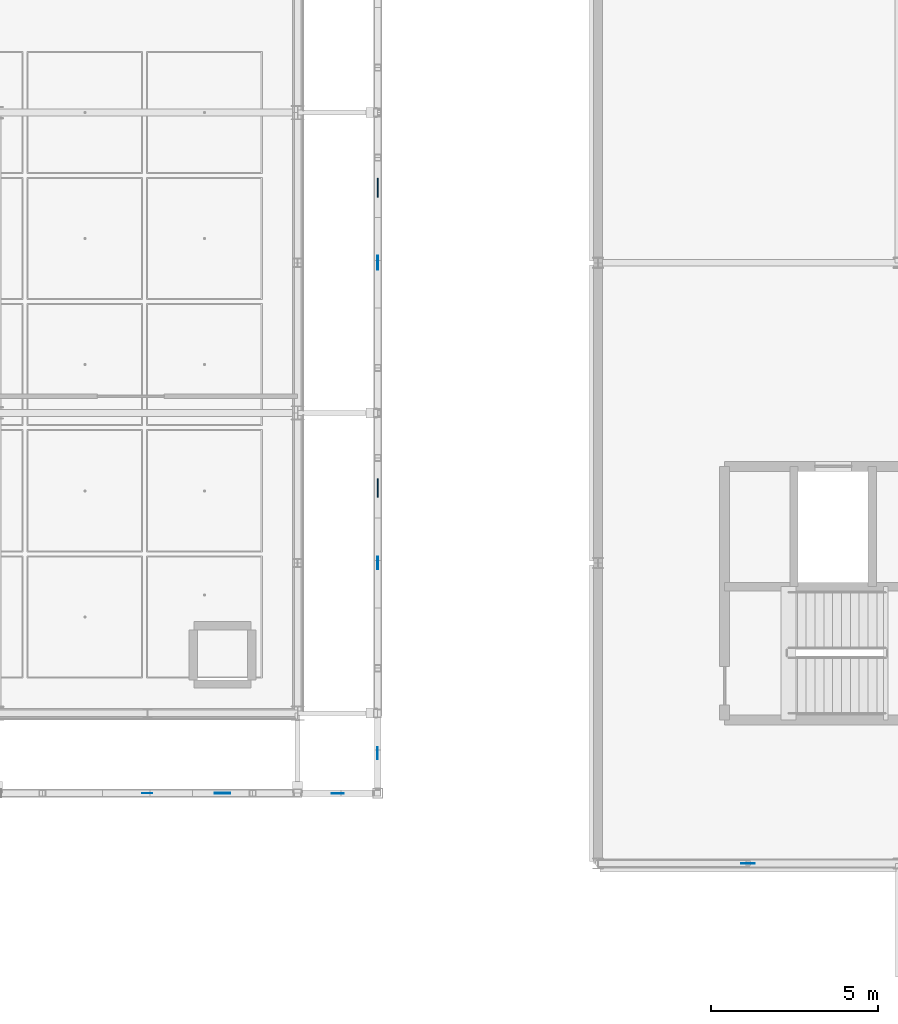
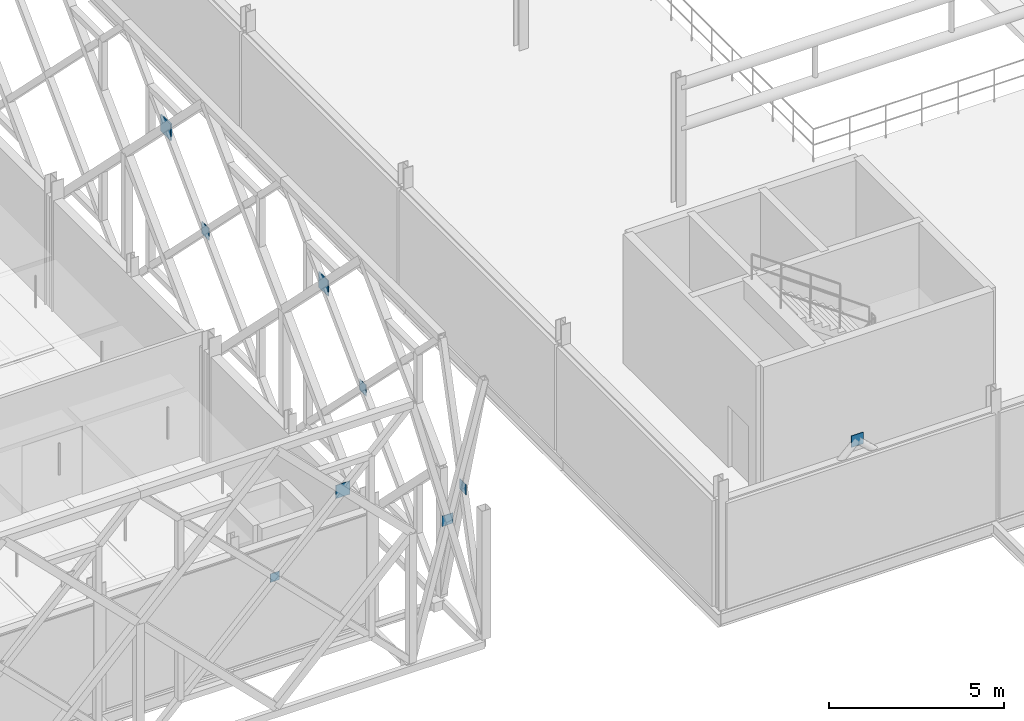
# One storey, part 82 of 140: 9 plates.
"""IFC4 building model written with IfcOpenShell, lengths in metres."""

from ifc_helpers import new_model, si_unit, direction, frame, origin, origin_2d, place, context, subcontext, project, spatial, rectangle, extrude, material, layer, layer_set, type_object, element, save


model = new_model("IFC4")

# Units and contexts
model_context = context("Model", 3, precision=1e-05, world=origin(), true_north=direction((0.0, 1.0)))
body_context = subcontext(model_context, "Body", "Model", "MODEL_VIEW")
ifc_project = project(units=[si_unit("LENGTHUNIT", "METRE"), si_unit("AREAUNIT", "SQUARE_METRE"), si_unit("VOLUMEUNIT", "CUBIC_METRE"), si_unit("PLANEANGLEUNIT", "RADIAN"), si_unit("MASSUNIT", "GRAM", prefix="KILO"), si_unit("THERMODYNAMICTEMPERATUREUNIT", "KELVIN"), si_unit("POWERUNIT", "WATT")], contexts=[model_context])

# Site, building, storey
site_placement = place(None, origin())
site = spatial("IfcSite", under=ifc_project, at=site_placement, CompositionType="ELEMENT")
building_placement = place(site_placement, origin())
building = spatial("IfcBuilding", under=site, at=building_placement, Name="Tallowbark Science Centre", CompositionType="ELEMENT")
storey_placement = place(building_placement, frame((0.0, 0.0, 9.89990234375)))
storey = spatial("IfcBuildingStorey", under=building, at=storey_placement, Name="L02", CompositionType="ELEMENT", Elevation=9.89990234375)

# Plates
ifc_material = material(Name="Structural Steel Grade 300PLUS (300 MPa)", Category="steel")
ifc_layer_1 = layer(ifc_material, 0.010009765625)
ifc_layer_set_1 = layer_set([ifc_layer_1], Name="Structural Steel Grade 300PLUS (300 MPa)")
plate_type_1 = type_object("IfcPlateType", Name="PLT-GUS-10", PredefinedType="SHEET", material=ifc_layer_set_1)
plate_1_placement = place(storey_placement, frame((99.0, 2.10009765625, 4.35009765625), z_axis=(0.0, 0.0, 1.0), x_axis=(1.0, 0.0, 0.0)))
element("IfcPlate", 1, at=plate_1_placement, inside=storey, type_object=plate_type_1, Name="Star X-Brace Crossing Gusset Plate S-25", PredefinedType="SHEET", context=body_context, shape_type="SweptSolid", body=[
    extrude(rectangle(XDim=0.300048828125, YDim=0.010009765625, at=origin_2d()), origin(), (0.0, 0.0, 1.0), 0.300048828125),
])
ifc_layer_2 = layer(ifc_material, 0.01611328125)
ifc_layer_set_2 = layer_set([ifc_layer_2], Name="Structural Steel Grade 300PLUS (300 MPa)")
plate_type_2 = type_object("IfcPlateType", Name="PLT-GUS-16", PredefinedType="SHEET", material=ifc_layer_set_2)
for number, where, z_axis, x_axis, name in (
    (2, (104.699951171875, 2.10009765625, 4.31982421875), (0.0, 0.0, 1.0), (1.0, 0.0, 0.0), "Star Screen Corner X-Brace Gusset SEX-L02"),
    (3, (105.89990234375, 3.300048828125, 4.31982421875), (0.0, 0.0, 1.0), (0.0, 1.0, 0.0), "Star Screen Corner X-Brace Gusset SEY-L02"),
):
    element("IfcPlate", number, at=place(storey_placement, frame(where, z_axis=z_axis, x_axis=x_axis)), inside=storey, type_object=plate_type_2, Name=name, PredefinedType="SHEET", context=body_context, shape_type="SweptSolid", body=[
        extrude(rectangle(XDim=0.360107421875, YDim=0.01611328125, at=origin_2d()), origin(), (0.0, 0.0, 1.0), 0.360107421875),
    ])
ifc_layer_3 = layer(ifc_material, 0.01806640625)
ifc_layer_set_3 = layer_set([ifc_layer_3], Name="Structural Steel Grade 300PLUS (300 MPa)")
plate_type_3 = type_object("IfcPlateType", Name="PLT-GUS-18", PredefinedType="SHEET", material=ifc_layer_set_3)
plate_2_placement = place(storey_placement, frame((105.89990234375, 9.0, 4.31005859375), z_axis=(0.0, 0.0, 1.0), x_axis=(0.0, 1.0, 0.0)))
element("IfcPlate", 4, at=plate_2_placement, inside=storey, type_object=plate_type_3, Name="Star X-Brace Crossing Gusset Plate E-29", PredefinedType="SHEET", context=body_context, shape_type="SweptSolid", body=[
    extrude(rectangle(XDim=0.3798828125, YDim=0.01806640625, at=origin_2d()), origin(), (0.0, 0.0, 1.0), 0.3798828125),
])
ifc_layer_4 = layer(ifc_material, 0.02001953125)
ifc_layer_set_4 = layer_set([ifc_layer_4], Name="Structural Steel Grade 300PLUS (300 MPa)")
plate_type_4 = type_object("IfcPlateType", Name="PLT-GUS-20", PredefinedType="SHEET", material=ifc_layer_set_4)
plate_3_placement = place(storey_placement, frame((117.0, 0.0, 4.050048828125), z_axis=(0.0, 0.0, 1.0), x_axis=(1.0, 0.0, 0.0)))
element("IfcPlate", 5, at=plate_3_placement, inside=storey, type_object=plate_type_4, Name="Chevron Brace Apex Gusset CBF-THT-S1 L02", PredefinedType="SHEET", context=body_context, shape_type="SweptSolid", body=[
    extrude(rectangle(XDim=0.39990234375, YDim=0.02001953125, at=origin_2d()), origin(), (0.0, 0.0, 1.0), 0.39990234375),
])
ifc_layer_5 = layer(ifc_material, 0.02197265625)
ifc_layer_set_5 = layer_set([ifc_layer_5], Name="Structural Steel Grade 300PLUS (300 MPa)")
plate_type_5 = type_object("IfcPlateType", Name="PLT-GUS-22", PredefinedType="SHEET", material=ifc_layer_set_5)
plate_4_placement = place(storey_placement, frame((105.89990234375, 18.0, 4.2900390625), z_axis=(0.0, 0.0, 1.0), x_axis=(0.0, 1.0, 0.0)))
element("IfcPlate", 6, at=plate_4_placement, inside=storey, type_object=plate_type_5, Name="Star X-Brace Crossing Gusset Plate E-31", PredefinedType="SHEET", context=body_context, shape_type="SweptSolid", body=[
    extrude(rectangle(XDim=0.419921875, YDim=0.02197265625, at=origin_2d()), origin(), (0.0, 0.0, 1.0), 0.419921875),
])
ifc_layer_6 = layer(ifc_material, 0.02587890625)
ifc_layer_set_6 = layer_set([ifc_layer_6], Name="Structural Steel Grade 300PLUS (300 MPa)")
plate_type_6 = type_object("IfcPlateType", Name="PLT-GUS-26", PredefinedType="SHEET", material=ifc_layer_set_6)
plate_5_placement = place(storey_placement, frame((101.25, 2.10009765625, 6.52001953125), z_axis=(0.0, 0.0, 1.0), x_axis=(1.0, 0.0, 0.0)))
element("IfcPlate", 7, at=plate_5_placement, inside=storey, type_object=plate_type_6, Name="Star Primary Chord Crossing Gusset Plate S-25", PredefinedType="SHEET", context=body_context, shape_type="SweptSolid", body=[
    extrude(rectangle(XDim=0.4599609375, YDim=0.02587890625, at=origin_2d()), origin(), (0.0, 0.0, 1.0), 0.4599609375),
])
ifc_layer_7 = layer(ifc_material, 0.033935546875)
ifc_layer_set_7 = layer_set([ifc_layer_7], Name="Structural Steel Grade 300PLUS (300 MPa)")
plate_type_7 = type_object("IfcPlateType", Name="PLT-GUS-34", PredefinedType="SHEET", material=ifc_layer_set_7)
plate_6_placement = place(storey_placement, frame((105.89990234375, 11.25, 6.47998046875), z_axis=(0.0, 0.0, 1.0), x_axis=(0.0, 1.0, 0.0)))
element("IfcPlate", 8, at=plate_6_placement, inside=storey, type_object=plate_type_7, Name="Star Primary Chord Crossing Gusset Plate E-29", PredefinedType="SHEET", context=body_context, shape_type="SweptSolid", body=[
    extrude(rectangle(XDim=0.5400390625, YDim=0.033935546875, at=origin_2d()), origin(), (0.0, 0.0, 1.0), 0.5400390625),
])
ifc_layer_8 = layer(ifc_material, 0.0380859375)
ifc_layer_set_8 = layer_set([ifc_layer_8], Name="Structural Steel Grade 300PLUS (300 MPa)")
plate_type_8 = type_object("IfcPlateType", Name="PLT-GUS-38", PredefinedType="SHEET", material=ifc_layer_set_8)
plate_7_placement = place(storey_placement, frame((105.89990234375, 20.25, 6.4599609375), z_axis=(0.0, 0.0, 1.0), x_axis=(0.0, 1.0, 0.0)))
element("IfcPlate", 9, at=plate_7_placement, inside=storey, type_object=plate_type_8, Name="Star Primary Chord Crossing Gusset Plate E-31", PredefinedType="SHEET", context=body_context, shape_type="SweptSolid", body=[
    extrude(rectangle(XDim=0.580078125, YDim=0.0380859375, at=origin_2d()), origin(), (0.0, 0.0, 1.0), 0.580078125),
])

save(model, "model.ifc")
